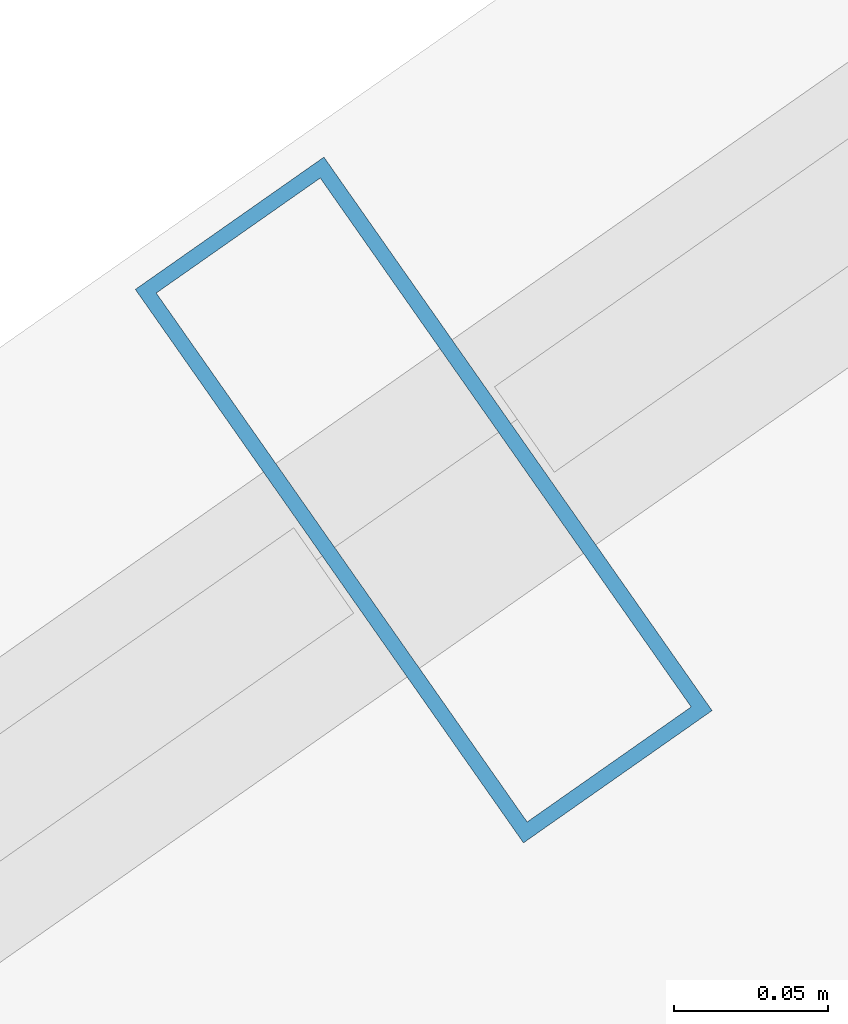
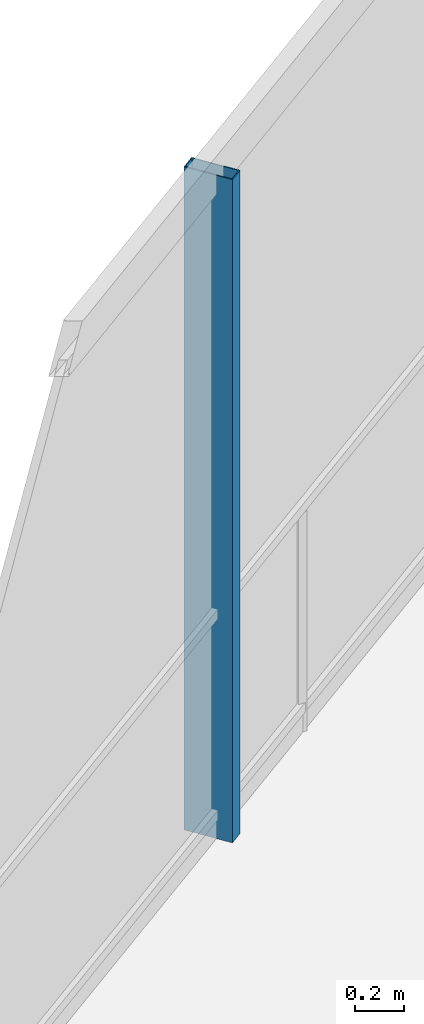
# One storey, part 12 of 20: 1 member, 1 element without a shape of its own.
"""IFC4 building model written with IfcOpenShell, lengths in metres."""

from ifc_helpers import new_model, si_unit, direction, frame, origin, origin_2d, place, context, subcontext, project, spatial, hollow_rectangle, extrude, material, layer, layer_set, material_profile, profile_set, type_object, element, aggregate, save


model = new_model("IFC4")

# Units and contexts
model_context = context("Model", 3, precision=1e-05, world=origin(), true_north=direction((0.0, 1.0)))
body_context = subcontext(model_context, "Body", "Model", "MODEL_VIEW")
ifc_project = project(units=[si_unit("LENGTHUNIT", "METRE"), si_unit("AREAUNIT", "SQUARE_METRE"), si_unit("VOLUMEUNIT", "CUBIC_METRE"), si_unit("PLANEANGLEUNIT", "RADIAN"), si_unit("MASSUNIT", "GRAM", prefix="KILO")], contexts=[model_context])

# Site, building, storey
site_placement = place(None, origin())
site = spatial("IfcSite", under=ifc_project, at=site_placement, CompositionType="ELEMENT")
building_placement = place(site_placement, origin())
building = spatial("IfcBuilding", under=site, at=building_placement, Name="Qarnah Convention Tower", CompositionType="ELEMENT")
storey_placement = place(building_placement, frame((0.0, 0.0, 198.60009765625)))
storey = spatial("IfcBuildingStorey", under=building, at=storey_placement, Name="L53", CompositionType="ELEMENT", Elevation=198.60009765625)

# Curtain wall, member
ifc_material_1 = material(Name="Tempered Low-E dark glass", Category="glass")
ifc_layer = layer(ifc_material_1, 0.174072265625)
ifc_layer_set = layer_set([ifc_layer], Name="Tempered Low-E dark glass")
curtain_wall_type = type_object("IfcCurtainWallType", Name="CWS-04", PredefinedType="NOTDEFINED", material=ifc_layer_set)
curtain_wall_placement = place(storey_placement, origin())
curtain_wall = element("IfcCurtainWall", 1, at=curtain_wall_placement, inside=storey, type_object=curtain_wall_type, Name="L53 unitised curtain wall CW-L53-F1", PredefinedType="NOTDEFINED")
ifc_material_2 = material(Name="Black anodised aluminium", Category="aluminium")
ifc_material_profile = material_profile(ifc_material_2, hollow_rectangle(XDim=0.074951171875, YDim=0.219970703125, WallThickness=0.0048828125, at=origin_2d()), Name="MUL-75X220")
ifc_profile_set = profile_set([ifc_material_profile], Name="Black anodised aluminium")
member_type = type_object("IfcMemberType", Name="MUL-T4", PredefinedType="MULLION", material=ifc_profile_set)
member_placement = place(storey_placement, frame((25.73828125, 37.742431640625, 0.0), z_axis=(0.0, 0.0, 1.0), x_axis=(0.818736601827, 0.57416929283, 0.0)))
member = element("IfcMember", 2, at=member_placement, type_object=member_type, Name="CW-L53-F1 mullion 3", PredefinedType="MULLION", context=body_context, shape_type="SweptSolid", body=[
    extrude(hollow_rectangle(XDim=0.074951171875, YDim=0.219970703125, WallThickness=0.0048828125, at=origin_2d()), origin(), (0.0, 0.0, 1.0), 3.31982421875),
])
aggregate(curtain_wall, [member])

save(model, "model.ifc")
